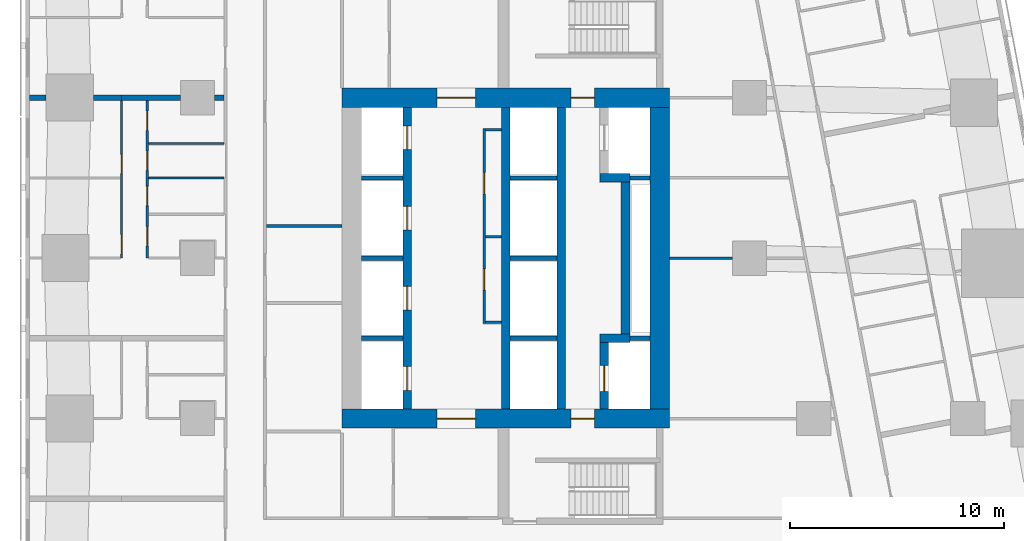
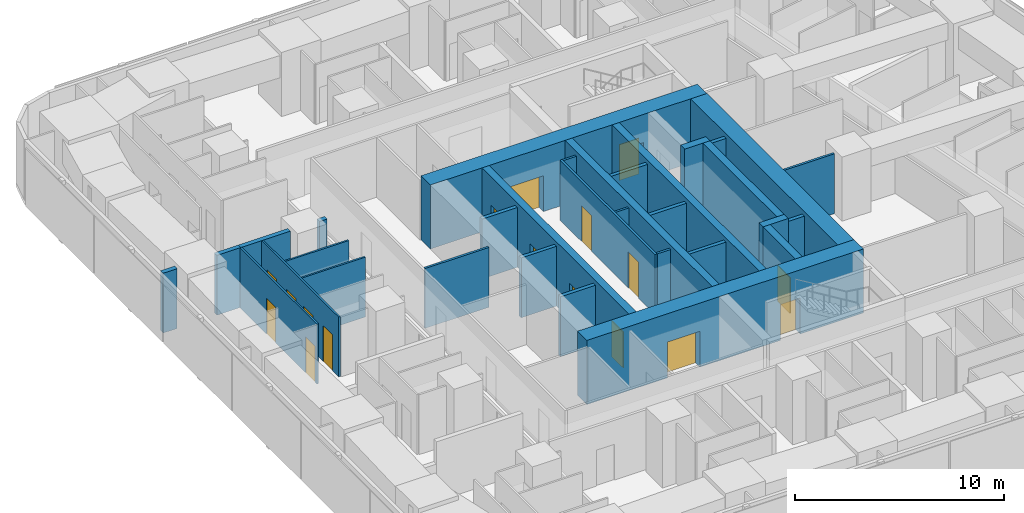
# One storey, part 6 of 16: 32 walls, 17 doors, 17 openings.
"""IFC4 building model written with IfcOpenShell, lengths in metres."""

from ifc_helpers import new_model, si_unit, direction, frame, frame_2d, origin, place, context, subcontext, project, spatial, rectangle, extrude, material, layer, layer_set, type_object, element, fill, save


model = new_model("IFC4")

# Units and contexts
model_context = context("Model", 3, precision=1e-05, world=origin(), true_north=direction((0.0, 1.0)))
body_context = subcontext(model_context, "Body", "Model", "MODEL_VIEW")
ifc_project = project(units=[si_unit("LENGTHUNIT", "METRE"), si_unit("AREAUNIT", "SQUARE_METRE"), si_unit("VOLUMEUNIT", "CUBIC_METRE"), si_unit("PLANEANGLEUNIT", "RADIAN"), si_unit("MASSUNIT", "GRAM", prefix="KILO")], contexts=[model_context])

# Site, building, storey
site_placement = place(None, origin())
site = spatial("IfcSite", under=ifc_project, at=site_placement, CompositionType="ELEMENT")
building_placement = place(site_placement, origin())
building = spatial("IfcBuilding", under=site, at=building_placement, Name="Sheger Commons Tower", CompositionType="ELEMENT")
storey_placement = place(building_placement, frame((0.0, 0.0, 96.64990234375)))
storey = spatial("IfcBuildingStorey", under=building, at=storey_placement, Name="L24", CompositionType="ELEMENT", Elevation=96.64990234375)

# Wall, openings, doors
ifc_material_1 = material(Name="Concrete C50/60", Category="concrete")
ifc_layer_1 = layer(ifc_material_1, 0.39990234375)
ifc_layer_set_1 = layer_set([ifc_layer_1], Name="CORE INNER WALL 400")
wall_type_1 = type_object("IfcWallType", Name="CORE INNER WALL 400", PredefinedType="SHEAR", material=ifc_layer_set_1)
wall_1_placement = place(storey_placement, frame((17.0, 15.449951171875, 0.0), z_axis=(0.0, 0.0, 1.0), x_axis=(0.0, 1.0, 0.0)))
wall_1 = element("IfcWall", 1, at=wall_1_placement, inside=storey, type_object=wall_type_1, Name="Core inner wall A L24", PredefinedType="SHEAR", context=body_context, shape_type="SweptSolid", body=[
    extrude(rectangle(XDim=14.10009765625, YDim=0.39990234375, at=frame_2d((7.050048828125, 0.0))), origin(), (0.0, 0.0, 1.0), 3.75),
])
opening_1_placement = place(wall_1_placement, frame((0.875, 0.0, 0.0)))
opening_1 = element("IfcOpeningElement", 2, at=opening_1_placement, cuts=wall_1, Name="Opening LD", PredefinedType="OPENING", context=body_context, shape_type="SweptSolid", body=[
    extrude(rectangle(XDim=1.10009765625, YDim=2.10009765625, at=frame_2d((0.550048828125, 1.050048828125))), frame((0.0, 0.2099609375, 0.0), z_axis=(0.0, -1.0, 0.0), x_axis=(1.0, 0.0, 0.0)), (0.0, 0.0, 1.0), 0.419921875),
])
opening_2_placement = place(wall_1_placement, frame((4.625, 0.0, 0.0)))
opening_2 = element("IfcOpeningElement", 3, at=opening_2_placement, cuts=wall_1, Name="Opening LD", PredefinedType="OPENING", context=body_context, shape_type="SweptSolid", body=[
    extrude(rectangle(XDim=1.10009765625, YDim=2.10009765625, at=frame_2d((0.550048828125, 1.050048828125))), frame((0.0, 0.2099609375, 0.0), z_axis=(0.0, -1.0, 0.0), x_axis=(1.0, 0.0, 0.0)), (0.0, 0.0, 1.0), 0.419921875),
])
opening_3_placement = place(wall_1_placement, frame((8.375, 0.0, 0.0)))
opening_3 = element("IfcOpeningElement", 4, at=opening_3_placement, cuts=wall_1, Name="Opening LD", PredefinedType="OPENING", context=body_context, shape_type="SweptSolid", body=[
    extrude(rectangle(XDim=1.10009765625, YDim=2.10009765625, at=frame_2d((0.550048828125, 1.050048828125))), frame((0.0, 0.2099609375, 0.0), z_axis=(0.0, -1.0, 0.0), x_axis=(1.0, 0.0, 0.0)), (0.0, 0.0, 1.0), 0.419921875),
])
opening_4_placement = place(wall_1_placement, frame((12.125, 0.0, 0.0)))
opening_4 = element("IfcOpeningElement", 5, at=opening_4_placement, cuts=wall_1, Name="Opening LD", PredefinedType="OPENING", context=body_context, shape_type="SweptSolid", body=[
    extrude(rectangle(XDim=1.10009765625, YDim=2.10009765625, at=frame_2d((0.550048828125, 1.050048828125))), frame((0.0, 0.2099609375, 0.0), z_axis=(0.0, -1.0, 0.0), x_axis=(1.0, 0.0, 0.0)), (0.0, 0.0, 1.0), 0.419921875),
])
ifc_material_2 = material(Name="Steel door set, fire rated", Category="steel")
door_type_1 = type_object("IfcDoorType", Name="LIFT LANDING DOOR 1100x2100", OperationType="DOUBLE_DOOR_SLIDING", PredefinedType="DOOR", material=ifc_material_2)
door_1_placement = place(opening_1_placement, origin())
door_1 = element("IfcDoor", 6, at=door_1_placement, inside=storey, type_object=door_type_1, Name="Lift LA1 landing door", OperationType="DOUBLE_DOOR_SLIDING", OverallHeight=2.10009765625, OverallWidth=1.10009765625, PredefinedType="DOOR", context=body_context, shape_type="SweptSolid", body=[
    extrude(rectangle(XDim=1.10009765625, YDim=2.10009765625, at=frame_2d((0.550048828125, 1.050048828125))), frame((0.0, 0.02490234375, 0.0), z_axis=(0.0, -1.0, 0.0), x_axis=(1.0, 0.0, 0.0)), (0.0, 0.0, 1.0), 0.050048828125),
])
fill(opening_1, door_1)
door_2_placement = place(opening_2_placement, origin())
door_2 = element("IfcDoor", 7, at=door_2_placement, inside=storey, type_object=door_type_1, Name="Lift LA2 landing door", OperationType="DOUBLE_DOOR_SLIDING", OverallHeight=2.10009765625, OverallWidth=1.10009765625, PredefinedType="DOOR", context=body_context, shape_type="SweptSolid", body=[
    extrude(rectangle(XDim=1.10009765625, YDim=2.10009765625, at=frame_2d((0.550048828125, 1.050048828125))), frame((0.0, 0.02490234375, 0.0), z_axis=(0.0, -1.0, 0.0), x_axis=(1.0, 0.0, 0.0)), (0.0, 0.0, 1.0), 0.050048828125),
])
fill(opening_2, door_2)
door_3_placement = place(opening_3_placement, origin())
door_3 = element("IfcDoor", 8, at=door_3_placement, inside=storey, type_object=door_type_1, Name="Lift LA3 landing door", OperationType="DOUBLE_DOOR_SLIDING", OverallHeight=2.10009765625, OverallWidth=1.10009765625, PredefinedType="DOOR", context=body_context, shape_type="SweptSolid", body=[
    extrude(rectangle(XDim=1.10009765625, YDim=2.10009765625, at=frame_2d((0.550048828125, 1.050048828125))), frame((0.0, 0.02490234375, 0.0), z_axis=(0.0, -1.0, 0.0), x_axis=(1.0, 0.0, 0.0)), (0.0, 0.0, 1.0), 0.050048828125),
])
fill(opening_3, door_3)
door_4_placement = place(opening_4_placement, origin())
door_4 = element("IfcDoor", 9, at=door_4_placement, inside=storey, type_object=door_type_1, Name="Lift LA4 landing door", OperationType="DOUBLE_DOOR_SLIDING", OverallHeight=2.10009765625, OverallWidth=1.10009765625, PredefinedType="DOOR", context=body_context, shape_type="SweptSolid", body=[
    extrude(rectangle(XDim=1.10009765625, YDim=2.10009765625, at=frame_2d((0.550048828125, 1.050048828125))), frame((0.0, 0.02490234375, 0.0), z_axis=(0.0, -1.0, 0.0), x_axis=(1.0, 0.0, 0.0)), (0.0, 0.0, 1.0), 0.050048828125),
])
fill(opening_4, door_4)

# Walls
for number, where, z_axis, x_axis, name in (
    (10, (21.60009765625, 15.449951171875, 0.0), (0.0, 0.0, 1.0), (0.0, 1.0, 0.0), "Core inner wall L L24"),
    (11, (24.199951171875, 15.449951171875, 0.0), (0.0, 0.0, 1.0), (0.0, 1.0, 0.0), "Core inner wall B L24"),
):
    element("IfcWall", number, at=place(storey_placement, frame(where, z_axis=z_axis, x_axis=x_axis)), inside=storey, type_object=wall_type_1, Name=name, PredefinedType="SHEAR", context=body_context, shape_type="SweptSolid", body=[
        extrude(rectangle(XDim=14.10009765625, YDim=0.39990234375, at=frame_2d((7.050048828125, 0.0))), origin(), (0.0, 0.0, 1.0), 3.75),
    ])

# Wall, opening, door
wall_2_placement = place(storey_placement, frame((26.199951171875, 15.449951171875, 0.0), z_axis=(0.0, 0.0, 1.0), x_axis=(0.0, 1.0, 0.0)))
wall_2 = element("IfcWall", 12, at=wall_2_placement, inside=storey, type_object=wall_type_1, Name="Core inner wall F L24", PredefinedType="SHEAR", context=body_context, shape_type="SweptSolid", body=[
    extrude(rectangle(XDim=3.10009765625, YDim=0.39990234375, at=frame_2d((1.550048828125, 0.0))), origin(), (0.0, 0.0, 1.0), 3.75),
])
opening_5_placement = place(wall_2_placement, frame((0.824951171875, 0.0, 0.0)))
opening_5 = element("IfcOpeningElement", 13, at=opening_5_placement, cuts=wall_2, Name="Opening LD2", PredefinedType="OPENING", context=body_context, shape_type="SweptSolid", body=[
    extrude(rectangle(XDim=1.199951171875, YDim=2.10009765625, at=frame_2d((0.60009765625, 1.050048828125))), frame((0.0, 0.2099609375, 0.0), z_axis=(0.0, -1.0, 0.0), x_axis=(1.0, 0.0, 0.0)), (0.0, 0.0, 1.0), 0.419921875),
])
ifc_material_3 = material(Name="Steel door set, fire rated", Category="steel")
door_type_2 = type_object("IfcDoorType", Name="FIREFIGHTING LIFT LANDING DOOR 1200x2100", OperationType="DOUBLE_DOOR_SLIDING", PredefinedType="DOOR", material=ifc_material_3)
door_5_placement = place(opening_5_placement, origin())
door_5 = element("IfcDoor", 14, at=door_5_placement, inside=storey, type_object=door_type_2, Name="Lift FL1 landing door", OperationType="DOUBLE_DOOR_SLIDING", OverallHeight=2.10009765625, OverallWidth=1.199951171875, PredefinedType="DOOR", context=body_context, shape_type="SweptSolid", body=[
    extrude(rectangle(XDim=1.199951171875, YDim=2.10009765625, at=frame_2d((0.60009765625, 1.050048828125))), frame((0.0, 0.02490234375, 0.0), z_axis=(0.0, -1.0, 0.0), x_axis=(1.0, 0.0, 0.0)), (0.0, 0.0, 1.0), 0.050048828125),
])
fill(opening_5, door_5)

# Walls
wall_3_placement = place(storey_placement, frame((26.0, 18.75, 0.0), z_axis=(0.0, 0.0, 1.0), x_axis=(1.0, 0.0, 0.0)))
element("IfcWall", 15, at=wall_3_placement, inside=storey, type_object=wall_type_1, Name="Core inner wall F south return L24", PredefinedType="SHEAR", context=body_context, shape_type="SweptSolid", body=[
    extrude(rectangle(XDim=1.39990234375, YDim=0.39990234375, at=frame_2d((0.699951171875, 0.0))), origin(), (0.0, 0.0, 1.0), 3.75),
])
wall_4_placement = place(storey_placement, frame((27.199951171875, 18.949951171875, 0.0), z_axis=(0.0, 0.0, 1.0), x_axis=(0.0, 1.0, 0.0)))
element("IfcWall", 16, at=wall_4_placement, inside=storey, type_object=wall_type_1, Name="Core inner wall F middle L24", PredefinedType="SHEAR", context=body_context, shape_type="SweptSolid", body=[
    extrude(rectangle(XDim=7.10009765625, YDim=0.39990234375, at=frame_2d((3.550048828125, 0.0))), origin(), (0.0, 0.0, 1.0), 3.75),
])
wall_5_placement = place(storey_placement, frame((26.0, 26.25, 0.0), z_axis=(0.0, 0.0, 1.0), x_axis=(1.0, 0.0, 0.0)))
element("IfcWall", 17, at=wall_5_placement, inside=storey, type_object=wall_type_1, Name="Core inner wall F north return L24", PredefinedType="SHEAR", context=body_context, shape_type="SweptSolid", body=[
    extrude(rectangle(XDim=1.39990234375, YDim=0.39990234375, at=frame_2d((0.699951171875, 0.0))), origin(), (0.0, 0.0, 1.0), 3.75),
])

# Wall, openings, doors
ifc_material_4 = material(Name="Concrete C50/60", Category="concrete")
ifc_layer_2 = layer(ifc_material_4, 0.89990234375)
ifc_layer_set_2 = layer_set([ifc_layer_2], Name="CORE WALL 900")
wall_type_2 = type_object("IfcWallType", Name="CORE WALL 900", PredefinedType="SHEAR", material=ifc_layer_set_2)
wall_6_placement = place(storey_placement, frame((13.949951171875, 15.0, 0.0), z_axis=(0.0, 0.0, 1.0), x_axis=(1.0, 0.0, 0.0)))
wall_6 = element("IfcWall", 18, at=wall_6_placement, inside=storey, type_object=wall_type_2, Name="Core wall south L24", PredefinedType="SHEAR", context=body_context, shape_type="SweptSolid", body=[
    extrude(rectangle(XDim=15.300048828125, YDim=0.89990234375, at=frame_2d((7.64990234375, 0.0))), origin(), (0.0, 0.0, 1.0), 3.75),
])
opening_6_placement = place(wall_6_placement, frame((4.449951171875, 0.0, 0.0)))
opening_6 = element("IfcOpeningElement", 19, at=opening_6_placement, cuts=wall_6, Name="Opening D6", PredefinedType="OPENING", context=body_context, shape_type="SweptSolid", body=[
    extrude(rectangle(XDim=1.800048828125, YDim=2.10009765625, at=frame_2d((0.89990234375, 1.050048828125))), frame((0.0, 0.4599609375, 0.0), z_axis=(0.0, -1.0, 0.0), x_axis=(1.0, 0.0, 0.0)), (0.0, 0.0, 1.0), 0.919921875),
])
opening_7_placement = place(wall_6_placement, frame((10.699951171875, 0.0, 0.0)))
opening_7 = element("IfcOpeningElement", 20, at=opening_7_placement, cuts=wall_6, Name="Opening D5", PredefinedType="OPENING", context=body_context, shape_type="SweptSolid", body=[
    extrude(rectangle(XDim=1.10009765625, YDim=2.10009765625, at=frame_2d((0.550048828125, 1.050048828125))), frame((0.0, 0.4599609375, 0.0), z_axis=(0.0, -1.0, 0.0), x_axis=(1.0, 0.0, 0.0)), (0.0, 0.0, 1.0), 0.919921875),
])
ifc_material_5 = material(Name="Steel door set, fire rated", Category="steel")
door_type_3 = type_object("IfcDoorType", Name="LOBBY DOUBLE DOOR 1800x2100", OperationType="DOUBLE_DOOR_SINGLE_SWING", PredefinedType="DOOR", material=ifc_material_5)
door_6_placement = place(opening_6_placement, origin())
door_6 = element("IfcDoor", 21, at=door_6_placement, inside=storey, type_object=door_type_3, Name="Lift lobby door", OperationType="DOUBLE_DOOR_SINGLE_SWING", OverallHeight=2.10009765625, OverallWidth=1.800048828125, PredefinedType="DOOR", context=body_context, shape_type="SweptSolid", body=[
    extrude(rectangle(XDim=1.800048828125, YDim=2.10009765625, at=frame_2d((0.89990234375, 1.050048828125))), frame((0.0, 0.02490234375, 0.0), z_axis=(0.0, -1.0, 0.0), x_axis=(1.0, 0.0, 0.0)), (0.0, 0.0, 1.0), 0.050048828125),
])
fill(opening_6, door_6)
ifc_material_6 = material(Name="Steel door set, fire rated", Category="steel")
door_type_4 = type_object("IfcDoorType", Name="STAIR DOOR 1100x2100", OperationType="NOTDEFINED", PredefinedType="DOOR", material=ifc_material_6)
door_7_placement = place(opening_7_placement, origin())
door_7 = element("IfcDoor", 22, at=door_7_placement, inside=storey, type_object=door_type_4, Name="Fire-fighting lobby door", OperationType="SINGLE_SWING_LEFT", OverallHeight=2.10009765625, OverallWidth=1.10009765625, PredefinedType="DOOR", context=body_context, shape_type="SweptSolid", body=[
    extrude(rectangle(XDim=1.10009765625, YDim=2.10009765625, at=frame_2d((0.550048828125, 1.050048828125))), frame((0.0, 0.02490234375, 0.0), z_axis=(0.0, -1.0, 0.0), x_axis=(1.0, 0.0, 0.0)), (0.0, 0.0, 1.0), 0.050048828125),
])
fill(opening_7, door_7)

wall_7_placement = place(storey_placement, frame((13.949951171875, 30.0, 0.0), z_axis=(0.0, 0.0, 1.0), x_axis=(1.0, 0.0, 0.0)))
wall_7 = element("IfcWall", 23, at=wall_7_placement, inside=storey, type_object=wall_type_2, Name="Core wall north L24", PredefinedType="SHEAR", context=body_context, shape_type="SweptSolid", body=[
    extrude(rectangle(XDim=15.300048828125, YDim=0.89990234375, at=frame_2d((7.64990234375, 0.0))), origin(), (0.0, 0.0, 1.0), 3.75),
])
opening_8_placement = place(wall_7_placement, frame((4.449951171875, 0.0, 0.0)))
opening_8 = element("IfcOpeningElement", 24, at=opening_8_placement, cuts=wall_7, Name="Opening D6", PredefinedType="OPENING", context=body_context, shape_type="SweptSolid", body=[
    extrude(rectangle(XDim=1.800048828125, YDim=2.10009765625, at=frame_2d((0.89990234375, 1.050048828125))), frame((0.0, 0.4599609375, 0.0), z_axis=(0.0, -1.0, 0.0), x_axis=(1.0, 0.0, 0.0)), (0.0, 0.0, 1.0), 0.919921875),
])
opening_9_placement = place(wall_7_placement, frame((10.699951171875, 0.0, 0.0)))
opening_9 = element("IfcOpeningElement", 25, at=opening_9_placement, cuts=wall_7, Name="Opening D5", PredefinedType="OPENING", context=body_context, shape_type="SweptSolid", body=[
    extrude(rectangle(XDim=1.10009765625, YDim=2.10009765625, at=frame_2d((0.550048828125, 1.050048828125))), frame((0.0, 0.4599609375, 0.0), z_axis=(0.0, -1.0, 0.0), x_axis=(1.0, 0.0, 0.0)), (0.0, 0.0, 1.0), 0.919921875),
])
door_8_placement = place(opening_8_placement, origin())
door_8 = element("IfcDoor", 26, at=door_8_placement, inside=storey, type_object=door_type_3, Name="Lift lobby door", OperationType="DOUBLE_DOOR_SINGLE_SWING", OverallHeight=2.10009765625, OverallWidth=1.800048828125, PredefinedType="DOOR", context=body_context, shape_type="SweptSolid", body=[
    extrude(rectangle(XDim=1.800048828125, YDim=2.10009765625, at=frame_2d((0.89990234375, 1.050048828125))), frame((0.0, 0.02490234375, 0.0), z_axis=(0.0, -1.0, 0.0), x_axis=(1.0, 0.0, 0.0)), (0.0, 0.0, 1.0), 0.050048828125),
])
fill(opening_8, door_8)
door_9_placement = place(opening_9_placement, origin())
door_9 = element("IfcDoor", 27, at=door_9_placement, inside=storey, type_object=door_type_4, Name="Fire-fighting lobby door", OperationType="SINGLE_SWING_LEFT", OverallHeight=2.10009765625, OverallWidth=1.10009765625, PredefinedType="DOOR", context=body_context, shape_type="SweptSolid", body=[
    extrude(rectangle(XDim=1.10009765625, YDim=2.10009765625, at=frame_2d((0.550048828125, 1.050048828125))), frame((0.0, 0.02490234375, 0.0), z_axis=(0.0, -1.0, 0.0), x_axis=(1.0, 0.0, 0.0)), (0.0, 0.0, 1.0), 0.050048828125),
])
fill(opening_9, door_9)

# Walls
wall_8_placement = place(storey_placement, frame((28.800048828125, 15.449951171875, 0.0), z_axis=(0.0, 0.0, 1.0), x_axis=(0.0, 1.0, 0.0)))
element("IfcWall", 28, at=wall_8_placement, inside=storey, type_object=wall_type_2, Name="Core wall east L24", PredefinedType="SHEAR", context=body_context, shape_type="SweptSolid", body=[
    extrude(rectangle(XDim=14.10009765625, YDim=0.89990234375, at=frame_2d((7.050048828125, 0.0))), origin(), (0.0, 0.0, 1.0), 3.75),
])
ifc_material_7 = material(Name="Dense concrete block masonry, plastered both sides (separating wall between flats)", Category="masonry")
ifc_layer_3 = layer(ifc_material_7, 0.25)
ifc_layer_set_3 = layer_set([ifc_layer_3], Name="DEMISING WALL 250")
wall_type_3 = type_object("IfcWallType", Name="DEMISING WALL 250", PredefinedType="SOLIDWALL", material=ifc_layer_set_3)
wall_9_placement = place(storey_placement, frame((-0.64990234375, 30.0, 0.0), z_axis=(0.0, 0.0, 1.0), x_axis=(1.0, 0.0, 0.0)))
element("IfcWall", 29, at=wall_9_placement, inside=storey, type_object=wall_type_3, Name="Demising wall L24", PredefinedType="SOLIDWALL", context=body_context, shape_type="SweptSolid", body=[
    extrude(rectangle(XDim=0.77392578125, YDim=0.25, at=frame_2d((0.386962890625, 0.0))), origin(), (0.0, 0.0, 1.0), 3.5),
])
wall_10_placement = place(storey_placement, frame((2.325927734375, 30.0, 0.0), z_axis=(0.0, 0.0, 1.0), x_axis=(1.0, 0.0, 0.0)))
element("IfcWall", 30, at=wall_10_placement, inside=storey, type_object=wall_type_3, Name="Demising wall L24", PredefinedType="SOLIDWALL", context=body_context, shape_type="SweptSolid", body=[
    extrude(rectangle(XDim=1.323974609375, YDim=0.25, at=frame_2d((0.662109375, 0.0))), origin(), (0.0, 0.0, 1.0), 3.5),
])
wall_11_placement = place(storey_placement, frame((3.64990234375, 30.0, 0.0), z_axis=(0.0, 0.0, 1.0), x_axis=(1.0, 0.0, 0.0)))
element("IfcWall", 31, at=wall_11_placement, inside=storey, type_object=wall_type_3, Name="Demising wall L24", PredefinedType="SOLIDWALL", context=body_context, shape_type="SweptSolid", body=[
    extrude(rectangle(XDim=2.7490234375, YDim=0.25, at=frame_2d((1.37451171875, 0.0))), origin(), (0.0, 0.0, 1.0), 3.5),
])
wall_12_placement = place(storey_placement, frame((8.0009765625, 30.0, 0.0), z_axis=(0.0, 0.0, 1.0), x_axis=(1.0, 0.0, 0.0)))
element("IfcWall", 32, at=wall_12_placement, inside=storey, type_object=wall_type_3, Name="Demising wall L24", PredefinedType="SOLIDWALL", context=body_context, shape_type="SweptSolid", body=[
    extrude(rectangle(XDim=0.424072265625, YDim=0.25, at=frame_2d((0.2119140625, 0.0))), origin(), (0.0, 0.0, 1.0), 3.5),
])

# Wall, openings, doors
ifc_material_8 = material(Name="Gypsum board on steel studs", Category="steel")
ifc_layer_4 = layer(ifc_material_8, 0.10009765625)
ifc_layer_set_4 = layer_set([ifc_layer_4], Name="PARTITION 100")
wall_type_4 = type_object("IfcWallType", Name="PARTITION 100", PredefinedType="PARTITIONING", material=ifc_layer_set_4)
wall_13_placement = place(storey_placement, frame((3.64990234375, 22.5, 0.0), z_axis=(0.0, 0.0, 1.0), x_axis=(0.0, 1.0, 0.0)))
wall_13 = element("IfcWall", 33, at=wall_13_placement, inside=storey, type_object=wall_type_4, Name="Partition L24", PredefinedType="PARTITIONING", context=body_context, shape_type="SweptSolid", body=[
    extrude(rectangle(XDim=7.375, YDim=0.10009765625, at=frame_2d((3.6875, 0.0))), origin(), (0.0, 0.0, 1.0), 3.5),
])
opening_10_placement = place(wall_13_placement, frame((0.199951171875, 0.0, 0.0)))
opening_10 = element("IfcOpeningElement", 34, at=opening_10_placement, cuts=wall_13, Name="Opening D2", PredefinedType="OPENING", context=body_context, shape_type="SweptSolid", body=[
    extrude(rectangle(XDim=0.89990234375, YDim=2.10009765625, at=frame_2d((0.449951171875, 1.050048828125))), frame((0.0, 0.06005859375, 0.0), z_axis=(0.0, -1.0, 0.0), x_axis=(1.0, 0.0, 0.0)), (0.0, 0.0, 1.0), 0.1201171875),
])
opening_11_placement = place(wall_13_placement, frame((3.949951171875, 0.0, 0.0)))
opening_11 = element("IfcOpeningElement", 35, at=opening_11_placement, cuts=wall_13, Name="Opening D2", PredefinedType="OPENING", context=body_context, shape_type="SweptSolid", body=[
    extrude(rectangle(XDim=0.89990234375, YDim=2.10009765625, at=frame_2d((0.449951171875, 1.050048828125))), frame((0.0, 0.06005859375, 0.0), z_axis=(0.0, -1.0, 0.0), x_axis=(1.0, 0.0, 0.0)), (0.0, 0.0, 1.0), 0.1201171875),
])
ifc_material_9 = material(Name="Timber door set", Category="wood")
door_type_5 = type_object("IfcDoorType", Name="INTERNAL DOOR 900x2100", OperationType="NOTDEFINED", PredefinedType="DOOR", material=ifc_material_9)
door_10_placement = place(opening_10_placement, origin())
door_10 = element("IfcDoor", 36, at=door_10_placement, inside=storey, type_object=door_type_5, Name="Main bedroom door", OperationType="SINGLE_SWING_LEFT", OverallHeight=2.10009765625, OverallWidth=0.89990234375, PredefinedType="DOOR", context=body_context, shape_type="SweptSolid", body=[
    extrude(rectangle(XDim=0.89990234375, YDim=2.10009765625, at=frame_2d((0.449951171875, 1.050048828125))), frame((0.0, 0.02490234375, 0.0), z_axis=(0.0, -1.0, 0.0), x_axis=(1.0, 0.0, 0.0)), (0.0, 0.0, 1.0), 0.050048828125),
])
fill(opening_10, door_10)
door_11_placement = place(opening_11_placement, origin())
door_11 = element("IfcDoor", 37, at=door_11_placement, inside=storey, type_object=door_type_5, Name="Bedroom 2 door", OperationType="SINGLE_SWING_LEFT", OverallHeight=2.10009765625, OverallWidth=0.89990234375, PredefinedType="DOOR", context=body_context, shape_type="SweptSolid", body=[
    extrude(rectangle(XDim=0.89990234375, YDim=2.10009765625, at=frame_2d((0.449951171875, 1.050048828125))), frame((0.0, 0.02490234375, 0.0), z_axis=(0.0, -1.0, 0.0), x_axis=(1.0, 0.0, 0.0)), (0.0, 0.0, 1.0), 0.050048828125),
])
fill(opening_11, door_11)

wall_14_placement = place(storey_placement, frame((4.85009765625, 22.5, 0.0), z_axis=(0.0, 0.0, 1.0), x_axis=(0.0, 1.0, 0.0)))
wall_14 = element("IfcWall", 38, at=wall_14_placement, inside=storey, type_object=wall_type_4, Name="Partition L24", PredefinedType="PARTITIONING", context=body_context, shape_type="SweptSolid", body=[
    extrude(rectangle(XDim=7.375, YDim=0.10009765625, at=frame_2d((3.6875, 0.0))), origin(), (0.0, 0.0, 1.0), 3.5),
])
opening_12_placement = place(wall_14_placement, frame((0.574951171875, 0.0, 0.0)))
opening_12 = element("IfcOpeningElement", 39, at=opening_12_placement, cuts=wall_14, Name="Opening D2", PredefinedType="OPENING", context=body_context, shape_type="SweptSolid", body=[
    extrude(rectangle(XDim=0.89990234375, YDim=2.10009765625, at=frame_2d((0.449951171875, 1.050048828125))), frame((0.0, 0.06005859375, 0.0), z_axis=(0.0, -1.0, 0.0), x_axis=(1.0, 0.0, 0.0)), (0.0, 0.0, 1.0), 0.1201171875),
])
opening_13_placement = place(wall_14_placement, frame((4.10009765625, 0.0, 0.0)))
opening_13 = element("IfcOpeningElement", 40, at=opening_13_placement, cuts=wall_14, Name="Opening D2", PredefinedType="OPENING", context=body_context, shape_type="SweptSolid", body=[
    extrude(rectangle(XDim=0.89990234375, YDim=2.10009765625, at=frame_2d((0.449951171875, 1.050048828125))), frame((0.0, 0.06005859375, 0.0), z_axis=(0.0, -1.0, 0.0), x_axis=(1.0, 0.0, 0.0)), (0.0, 0.0, 1.0), 0.1201171875),
])
opening_14_placement = place(wall_14_placement, frame((2.449951171875, 0.0, 0.0)))
opening_14 = element("IfcOpeningElement", 41, at=opening_14_placement, cuts=wall_14, Name="Opening D2", PredefinedType="OPENING", context=body_context, shape_type="SweptSolid", body=[
    extrude(rectangle(XDim=0.89990234375, YDim=2.10009765625, at=frame_2d((0.449951171875, 1.050048828125))), frame((0.0, 0.06005859375, 0.0), z_axis=(0.0, -1.0, 0.0), x_axis=(1.0, 0.0, 0.0)), (0.0, 0.0, 1.0), 0.1201171875),
])
opening_15_placement = place(wall_14_placement, frame((5.97509765625, 0.0, 0.0)))
opening_15 = element("IfcOpeningElement", 42, at=opening_15_placement, cuts=wall_14, Name="Opening D2", PredefinedType="OPENING", context=body_context, shape_type="SweptSolid", body=[
    extrude(rectangle(XDim=0.89990234375, YDim=2.10009765625, at=frame_2d((0.449951171875, 1.050048828125))), frame((0.0, 0.06005859375, 0.0), z_axis=(0.0, -1.0, 0.0), x_axis=(1.0, 0.0, 0.0)), (0.0, 0.0, 1.0), 0.1201171875),
])
door_12_placement = place(opening_12_placement, origin())
door_12 = element("IfcDoor", 43, at=door_12_placement, inside=storey, type_object=door_type_5, Name="Bathroom door", OperationType="SINGLE_SWING_RIGHT", OverallHeight=2.10009765625, OverallWidth=0.89990234375, PredefinedType="DOOR", context=body_context, shape_type="SweptSolid", body=[
    extrude(rectangle(XDim=0.89990234375, YDim=2.10009765625, at=frame_2d((0.449951171875, 1.050048828125))), frame((0.0, 0.02490234375, 0.0), z_axis=(0.0, -1.0, 0.0), x_axis=(1.0, 0.0, 0.0)), (0.0, 0.0, 1.0), 0.050048828125),
])
fill(opening_12, door_12)
door_13_placement = place(opening_13_placement, origin())
door_13 = element("IfcDoor", 44, at=door_13_placement, inside=storey, type_object=door_type_5, Name="Shower room door", OperationType="SINGLE_SWING_RIGHT", OverallHeight=2.10009765625, OverallWidth=0.89990234375, PredefinedType="DOOR", context=body_context, shape_type="SweptSolid", body=[
    extrude(rectangle(XDim=0.89990234375, YDim=2.10009765625, at=frame_2d((0.449951171875, 1.050048828125))), frame((0.0, 0.02490234375, 0.0), z_axis=(0.0, -1.0, 0.0), x_axis=(1.0, 0.0, 0.0)), (0.0, 0.0, 1.0), 0.050048828125),
])
fill(opening_13, door_13)
door_14_placement = place(opening_14_placement, origin())
door_14 = element("IfcDoor", 45, at=door_14_placement, inside=storey, type_object=door_type_5, Name="Store door", OperationType="SINGLE_SWING_RIGHT", OverallHeight=2.10009765625, OverallWidth=0.89990234375, PredefinedType="DOOR", context=body_context, shape_type="SweptSolid", body=[
    extrude(rectangle(XDim=0.89990234375, YDim=2.10009765625, at=frame_2d((0.449951171875, 1.050048828125))), frame((0.0, 0.02490234375, 0.0), z_axis=(0.0, -1.0, 0.0), x_axis=(1.0, 0.0, 0.0)), (0.0, 0.0, 1.0), 0.050048828125),
])
fill(opening_14, door_14)
door_15_placement = place(opening_15_placement, origin())
door_15 = element("IfcDoor", 46, at=door_15_placement, inside=storey, type_object=door_type_5, Name="Store door", OperationType="SINGLE_SWING_LEFT", OverallHeight=2.10009765625, OverallWidth=0.89990234375, PredefinedType="DOOR", context=body_context, shape_type="SweptSolid", body=[
    extrude(rectangle(XDim=0.89990234375, YDim=2.10009765625, at=frame_2d((0.449951171875, 1.050048828125))), frame((0.0, 0.02490234375, 0.0), z_axis=(0.0, -1.0, 0.0), x_axis=(1.0, 0.0, 0.0)), (0.0, 0.0, 1.0), 0.050048828125),
])
fill(opening_15, door_15)

# Walls
for number, where, z_axis, x_axis, name in (
    (47, (4.89990234375, 26.25, 0.0), (0.0, 0.0, 1.0), (1.0, 0.0, 0.0), "Partition L24"),
    (48, (4.89990234375, 27.85009765625, 0.0), (0.0, 0.0, 1.0), (1.0, 0.0, 0.0), "Partition L24"),
):
    element("IfcWall", number, at=place(storey_placement, frame(where, z_axis=z_axis, x_axis=x_axis)), inside=storey, type_object=wall_type_4, Name=name, PredefinedType="PARTITIONING", context=body_context, shape_type="SweptSolid", body=[
        extrude(rectangle(XDim=3.525146484375, YDim=0.10009765625, at=frame_2d((1.7626953125, 0.0))), origin(), (0.0, 0.0, 1.0), 3.5),
    ])
ifc_material_10 = material(Name="Gypsum board on steel studs, two layers each side, fire rated", Category="steel")
ifc_layer_5 = layer(ifc_material_10, 0.125)
ifc_layer_set_5 = layer_set([ifc_layer_5], Name="SERVICE WALL 125")
wall_type_5 = type_object("IfcWallType", Name="SERVICE WALL 125", PredefinedType="PARTITIONING", material=ifc_layer_set_5)
wall_15_placement = place(storey_placement, frame((10.4130859375, 24.0, 0.0), z_axis=(0.0, 0.0, 1.0), x_axis=(1.0, 0.0, 0.0)))
element("IfcWall", 49, at=wall_15_placement, inside=storey, type_object=wall_type_5, Name="Service room wall L24", PredefinedType="PARTITIONING", context=body_context, shape_type="SweptSolid", body=[
    extrude(rectangle(XDim=3.536865234375, YDim=0.125, at=frame_2d((1.7685546875, 0.0))), origin(), (0.0, 0.0, 1.0), 3.5),
])
wall_16_placement = place(storey_placement, frame((29.25, 22.5, 0.0), z_axis=(0.0, 0.0, 1.0), x_axis=(1.0, 0.0, 0.0)))
element("IfcWall", 50, at=wall_16_placement, inside=storey, type_object=wall_type_5, Name="Service room wall L24", PredefinedType="PARTITIONING", context=body_context, shape_type="SweptSolid", body=[
    extrude(rectangle(XDim=2.948974609375, YDim=0.125, at=frame_2d((1.474609375, 0.0))), origin(), (0.0, 0.0, 1.0), 3.5),
])

# Wall, openings, doors
wall_17_placement = place(storey_placement, frame((20.60009765625, 19.43798828125, 0.0), z_axis=(0.0, 0.0, 1.0), x_axis=(0.0, 1.0, 0.0)))
wall_17 = element("IfcWall", 51, at=wall_17_placement, inside=storey, type_object=wall_type_5, Name="Service room wall L24", PredefinedType="PARTITIONING", context=body_context, shape_type="SweptSolid", body=[
    extrude(rectangle(XDim=9.1240234375, YDim=0.125, at=frame_2d((4.56201171875, 0.0))), origin(), (0.0, 0.0, 1.0), 3.5),
])
opening_16_placement = place(wall_17_placement, frame((1.56201171875, 0.0, 0.0)))
opening_16 = element("IfcOpeningElement", 52, at=opening_16_placement, cuts=wall_17, Name="Opening D4", PredefinedType="OPENING", context=body_context, shape_type="SweptSolid", body=[
    extrude(rectangle(XDim=1.0, YDim=2.10009765625, at=frame_2d((0.5, 1.050048828125))), frame((0.0, 0.072509765625, 0.0), z_axis=(0.0, -1.0, 0.0), x_axis=(1.0, 0.0, 0.0)), (0.0, 0.0, 1.0), 0.14501953125),
])
opening_17_placement = place(wall_17_placement, frame((6.06201171875, 0.0, 0.0)))
opening_17 = element("IfcOpeningElement", 53, at=opening_17_placement, cuts=wall_17, Name="Opening D4", PredefinedType="OPENING", context=body_context, shape_type="SweptSolid", body=[
    extrude(rectangle(XDim=1.0, YDim=2.10009765625, at=frame_2d((0.5, 1.050048828125))), frame((0.0, 0.072509765625, 0.0), z_axis=(0.0, -1.0, 0.0), x_axis=(1.0, 0.0, 0.0)), (0.0, 0.0, 1.0), 0.14501953125),
])
ifc_material_11 = material(Name="Steel door set, fire rated", Category="steel")
door_type_6 = type_object("IfcDoorType", Name="SERVICE DOOR 1000x2100", OperationType="NOTDEFINED", PredefinedType="DOOR", material=ifc_material_11)
door_16_placement = place(opening_16_placement, origin())
door_16 = element("IfcDoor", 54, at=door_16_placement, inside=storey, type_object=door_type_6, Name="Housekeeping cupboard door", OperationType="SINGLE_SWING_LEFT", OverallHeight=2.10009765625, OverallWidth=1.0, PredefinedType="DOOR", context=body_context, shape_type="SweptSolid", body=[
    extrude(rectangle(XDim=1.0, YDim=2.10009765625, at=frame_2d((0.5, 1.050048828125))), frame((0.0, 0.02490234375, 0.0), z_axis=(0.0, -1.0, 0.0), x_axis=(1.0, 0.0, 0.0)), (0.0, 0.0, 1.0), 0.050048828125),
])
fill(opening_16, door_16)
door_17_placement = place(opening_17_placement, origin())
door_17 = element("IfcDoor", 55, at=door_17_placement, inside=storey, type_object=door_type_6, Name="Water meter cupboard door", OperationType="SINGLE_SWING_RIGHT", OverallHeight=2.10009765625, OverallWidth=1.0, PredefinedType="DOOR", context=body_context, shape_type="SweptSolid", body=[
    extrude(rectangle(XDim=1.0, YDim=2.10009765625, at=frame_2d((0.5, 1.050048828125))), frame((0.0, 0.02490234375, 0.0), z_axis=(0.0, -1.0, 0.0), x_axis=(1.0, 0.0, 0.0)), (0.0, 0.0, 1.0), 0.050048828125),
])
fill(opening_17, door_17)

# Walls
for number, where, z_axis, x_axis, name in (
    (56, (20.6630859375, 19.5, 0.0), (0.0, 0.0, 1.0), (1.0, 0.0, 0.0), "Service room wall L24"),
    (57, (20.6630859375, 28.5, 0.0), (0.0, 0.0, 1.0), (1.0, 0.0, 0.0), "Service room wall L24"),
    (58, (20.6630859375, 23.5, 0.0), (0.0, 0.0, 1.0), (1.0, 0.0, 0.0), "Service room wall L24"),
):
    element("IfcWall", number, at=place(storey_placement, frame(where, z_axis=z_axis, x_axis=x_axis)), inside=storey, type_object=wall_type_5, Name=name, PredefinedType="PARTITIONING", context=body_context, shape_type="SweptSolid", body=[
        extrude(rectangle(XDim=0.73681640625, YDim=0.125, at=frame_2d((0.368408203125, 0.0))), origin(), (0.0, 0.0, 1.0), 3.5),
    ])
ifc_material_12 = material(Name="Hollow concrete block masonry", Category="masonry")
ifc_layer_6 = layer(ifc_material_12, 0.199951171875)
ifc_layer_set_6 = layer_set([ifc_layer_6], Name="SHAFT WALL 200")
wall_type_6 = type_object("IfcWallType", Name="SHAFT WALL 200", PredefinedType="SOLIDWALL", material=ifc_layer_set_6)
wall_18_placement = place(storey_placement, frame((14.85009765625, 18.75, 0.0), z_axis=(0.0, 0.0, 1.0), x_axis=(1.0, 0.0, 0.0)))
element("IfcWall", 59, at=wall_18_placement, inside=storey, type_object=wall_type_6, Name="Lift shaft wall L24", PredefinedType="SOLIDWALL", context=body_context, shape_type="SweptSolid", body=[
    extrude(rectangle(XDim=1.949951171875, YDim=0.199951171875, at=frame_2d((0.97509765625, 0.0))), origin(), (0.0, 0.0, 1.0), 3.5),
])
wall_19_placement = place(storey_placement, frame((21.800048828125, 18.75, 0.0), z_axis=(0.0, 0.0, 1.0), x_axis=(1.0, 0.0, 0.0)))
element("IfcWall", 60, at=wall_19_placement, inside=storey, type_object=wall_type_6, Name="Lift shaft wall L24", PredefinedType="SOLIDWALL", context=body_context, shape_type="SweptSolid", body=[
    extrude(rectangle(XDim=2.199951171875, YDim=0.199951171875, at=frame_2d((1.10009765625, 0.0))), origin(), (0.0, 0.0, 1.0), 3.5),
])
wall_20_placement = place(storey_placement, frame((14.85009765625, 22.5, 0.0), z_axis=(0.0, 0.0, 1.0), x_axis=(1.0, 0.0, 0.0)))
element("IfcWall", 61, at=wall_20_placement, inside=storey, type_object=wall_type_6, Name="Lift shaft wall L24", PredefinedType="SOLIDWALL", context=body_context, shape_type="SweptSolid", body=[
    extrude(rectangle(XDim=1.949951171875, YDim=0.199951171875, at=frame_2d((0.97509765625, 0.0))), origin(), (0.0, 0.0, 1.0), 3.5),
])
wall_21_placement = place(storey_placement, frame((21.800048828125, 22.5, 0.0), z_axis=(0.0, 0.0, 1.0), x_axis=(1.0, 0.0, 0.0)))
element("IfcWall", 62, at=wall_21_placement, inside=storey, type_object=wall_type_6, Name="Lift shaft wall L24", PredefinedType="SOLIDWALL", context=body_context, shape_type="SweptSolid", body=[
    extrude(rectangle(XDim=2.199951171875, YDim=0.199951171875, at=frame_2d((1.10009765625, 0.0))), origin(), (0.0, 0.0, 1.0), 3.5),
])
wall_22_placement = place(storey_placement, frame((14.85009765625, 26.25, 0.0), z_axis=(0.0, 0.0, 1.0), x_axis=(1.0, 0.0, 0.0)))
element("IfcWall", 63, at=wall_22_placement, inside=storey, type_object=wall_type_6, Name="Lift shaft wall L24", PredefinedType="SOLIDWALL", context=body_context, shape_type="SweptSolid", body=[
    extrude(rectangle(XDim=1.949951171875, YDim=0.199951171875, at=frame_2d((0.97509765625, 0.0))), origin(), (0.0, 0.0, 1.0), 3.5),
])
wall_23_placement = place(storey_placement, frame((21.800048828125, 26.25, 0.0), z_axis=(0.0, 0.0, 1.0), x_axis=(1.0, 0.0, 0.0)))
element("IfcWall", 64, at=wall_23_placement, inside=storey, type_object=wall_type_6, Name="Lift shaft wall L24", PredefinedType="SOLIDWALL", context=body_context, shape_type="SweptSolid", body=[
    extrude(rectangle(XDim=2.199951171875, YDim=0.199951171875, at=frame_2d((1.10009765625, 0.0))), origin(), (0.0, 0.0, 1.0), 3.5),
])
for number, where, z_axis, x_axis, name in (
    (65, (27.39990234375, 18.75, 0.0), (0.0, 0.0, 1.0), (1.0, 0.0, 0.0), "Lift shaft wall L24"),
    (66, (27.39990234375, 26.25, 0.0), (0.0, 0.0, 1.0), (1.0, 0.0, 0.0), "Lift shaft wall L24"),
):
    element("IfcWall", number, at=place(storey_placement, frame(where, z_axis=z_axis, x_axis=x_axis)), inside=storey, type_object=wall_type_6, Name=name, PredefinedType="SOLIDWALL", context=body_context, shape_type="SweptSolid", body=[
        extrude(rectangle(XDim=0.9501953125, YDim=0.199951171875, at=frame_2d((0.47509765625, 0.0))), origin(), (0.0, 0.0, 1.0), 3.5),
    ])

save(model, "model.ifc")
